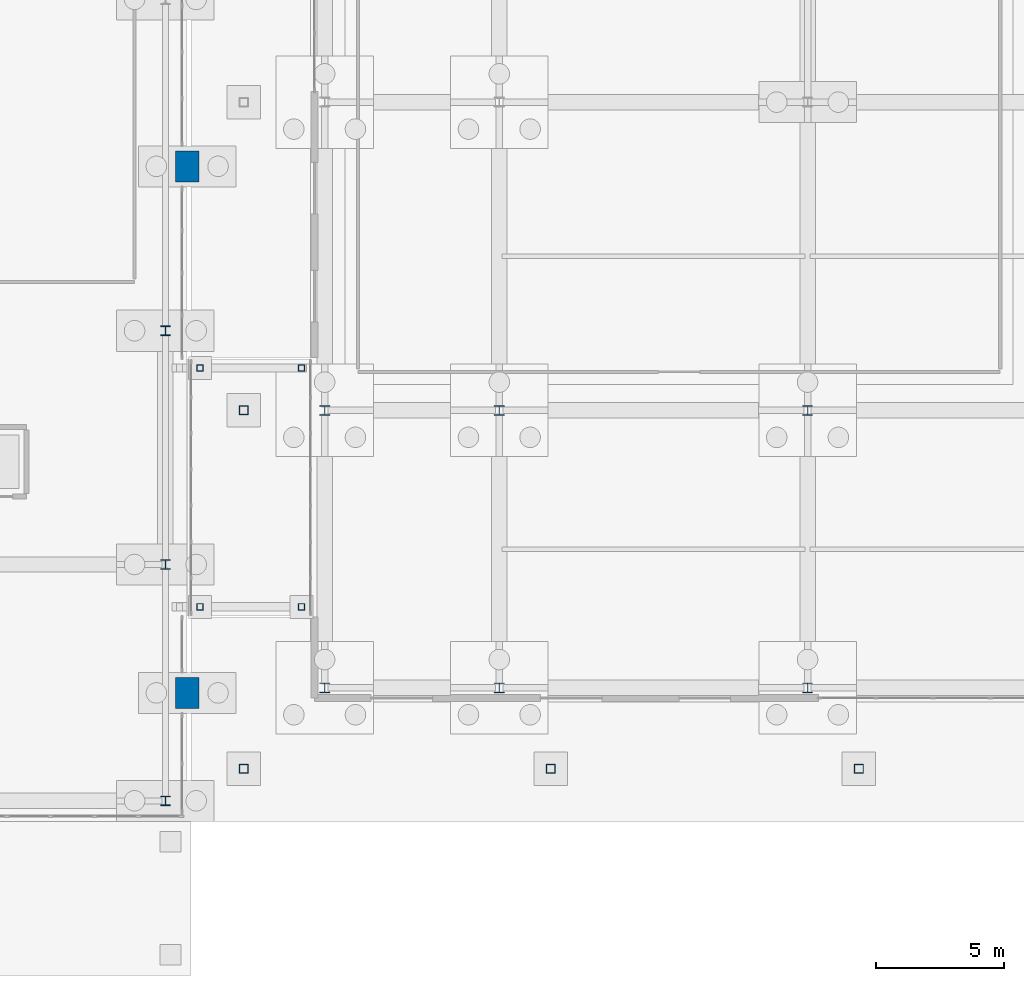
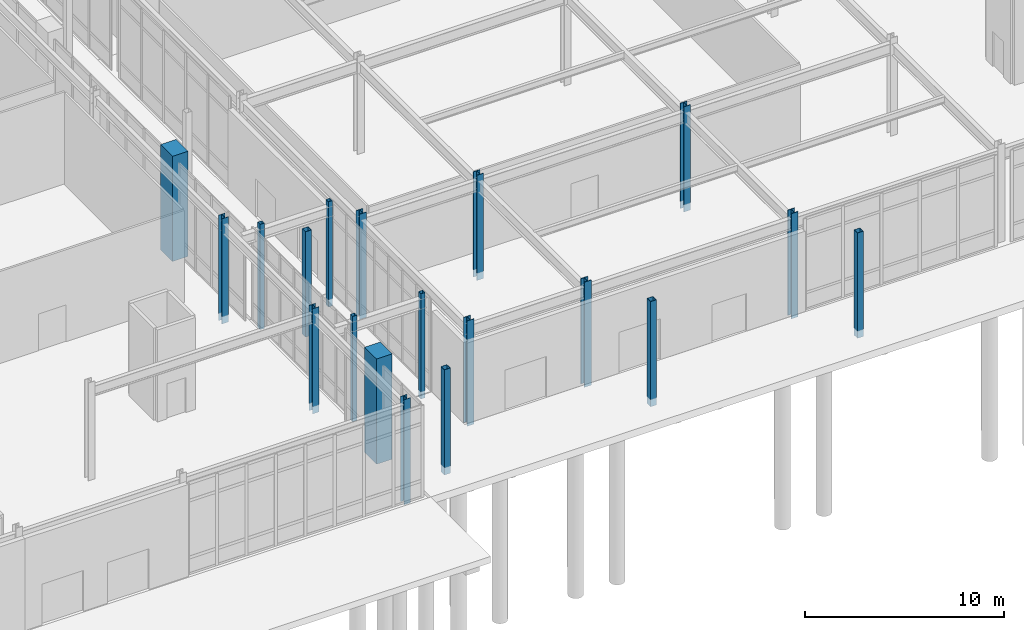
# One storey, part 13 of 143: 19 columns.
"""IFC4 building model written with IfcOpenShell, lengths in metres."""

from ifc_helpers import new_model, si_unit, derived_unit, direction, frame, origin, origin_2d, place, context, subcontext, project, spatial, rectangle, hollow_rectangle, i_section, extrude, material, material_profile, profile_set, type_object, element, save


model = new_model("IFC4")

# Units and contexts
model_context = context("Model", 3, precision=1e-05, world=origin(), true_north=direction((0.0, 1.0)))
body_context = subcontext(model_context, "Body", "Model", "MODEL_VIEW")
ifc_project = project(units=[si_unit("LENGTHUNIT", "METRE"), si_unit("AREAUNIT", "SQUARE_METRE"), si_unit("VOLUMEUNIT", "CUBIC_METRE"), si_unit("PLANEANGLEUNIT", "RADIAN"), si_unit("MASSUNIT", "GRAM", prefix="KILO"), derived_unit("THERMALTRANSMITTANCEUNIT", [(si_unit("MASSUNIT", "GRAM", prefix="KILO"), 1), (si_unit("TIMEUNIT", "SECOND"), -3), (si_unit("THERMODYNAMICTEMPERATUREUNIT", "KELVIN"), -1)])], contexts=[model_context])

# Site, building, storey
site_placement = place(None, origin())
site = spatial("IfcSite", under=ifc_project, at=site_placement, CompositionType="ELEMENT")
building_placement = place(site_placement, origin())
building = spatial("IfcBuilding", under=site, at=building_placement, Name="Valcora Ridge Arena", CompositionType="ELEMENT")
storey_placement = place(building_placement, origin())
storey = spatial("IfcBuildingStorey", under=building, at=storey_placement, Name="L00", CompositionType="ELEMENT", Elevation=0.0)

# Columns
ifc_material_1 = material(Name="Steel ASTM A500 Grade C", Category="steel")
ifc_material_profile_1 = material_profile(ifc_material_1, hollow_rectangle(XDim=0.25, YDim=0.25, WallThickness=0.012451171875, at=origin_2d()), Name="HSS250X250X12")
ifc_profile_set_1 = profile_set([ifc_material_profile_1], Name="Steel ASTM A500 Grade C")
column_type_1 = type_object("IfcColumnType", Name="TY-COLUMN-C-BRG250", PredefinedType="COLUMN", material=ifc_profile_set_1)
for number, where, z_axis, x_axis, name in (
    (1, (132.35009765625, 8.35009765625, -0.449951171875), (0.0, 0.0, 1.0), (1.0, 0.0, 0.0), "C-BRG250 COL-BG-C-BRG250-0009"),
    (2, (136.300048828125, 8.35009765625, -0.449951171875), (0.0, 0.0, 1.0), (1.0, 0.0, 0.0), "C-BRG250 COL-BG-C-BRG250-0011"),
    (3, (132.35009765625, 17.64990234375, -0.449951171875), (0.0, 0.0, 1.0), (1.0, 0.0, 0.0), "C-BRG250 COL-BG-C-BRG250-0013"),
    (4, (136.300048828125, 17.64990234375, -0.449951171875), (0.0, 0.0, 1.0), (1.0, 0.0, 0.0), "C-BRG250 COL-BG-C-BRG250-0015"),
):
    element("IfcColumn", number, at=place(storey_placement, frame(where, z_axis=z_axis, x_axis=x_axis)), inside=storey, type_object=column_type_1, Name=name, PredefinedType="COLUMN", context=body_context, shape_type="SweptSolid", body=[
        extrude(hollow_rectangle(XDim=0.25, YDim=0.25, WallThickness=0.012451171875, at=origin_2d()), origin(), (0.0, 0.0, 1.0), 6.449951171875),
    ])
ifc_material_2 = material(Name="Bush-hammered Andean travertine architectural concrete C45/55", Category="masonry")
ifc_material_profile_2 = material_profile(ifc_material_2, rectangle(XDim=0.89990234375, YDim=1.199951171875, at=origin_2d()), Name="RC 900x1200")
ifc_profile_set_2 = profile_set([ifc_material_profile_2], Name="Bush-hammered Andean travertine architectural concrete C45/55")
column_type_2 = type_object("IfcColumnType", Name="TY-COLUMN-C-BUTT-1200", PredefinedType="PILASTER", material=ifc_profile_set_2)
for number, where, z_axis, x_axis, name in (
    (5, (131.85009765625, 5.0, -0.449951171875), (0.0, 0.0, 1.0), (1.0, 0.0, 0.0), "C-BUTT-1200 COL-C-BUTT-1200-0431"),
    (6, (131.85009765625, 25.5, -0.449951171875), (0.0, 0.0, 1.0), (1.0, 0.0, 0.0), "C-BUTT-1200 COL-C-BUTT-1200-0433"),
):
    element("IfcColumn", number, at=place(storey_placement, frame(where, z_axis=z_axis, x_axis=x_axis)), inside=storey, type_object=column_type_2, Name=name, PredefinedType="PILASTER", context=body_context, shape_type="SweptSolid", body=[
        extrude(rectangle(XDim=0.89990234375, YDim=1.199951171875, at=origin_2d()), origin(), (0.0, 0.0, 1.0), 6.449951171875),
    ])
ifc_material_profile_3 = material_profile(ifc_material_1, hollow_rectangle(XDim=0.35009765625, YDim=0.35009765625, WallThickness=0.01611328125, at=origin_2d()), Name="HSS350X350X16")
ifc_profile_set_3 = profile_set([ifc_material_profile_3], Name="Steel ASTM A500 Grade C")
column_type_3 = type_object("IfcColumnType", Name="TY-COLUMN-C-COL350", PredefinedType="COLUMN", material=ifc_profile_set_3)
for number, where, z_axis, x_axis, name in (
    (7, (134.050048828125, 2.050048828125, -0.449951171875), (0.0, 0.0, 1.0), (1.0, 0.0, 0.0), "C-COL350 COL-C-COL350-0001"),
    (8, (134.050048828125, 16.0, -0.449951171875), (0.0, 0.0, 1.0), (1.0, 0.0, 0.0), "C-COL350 COL-C-COL350-0004"),
    (9, (146.0, 2.050048828125, -0.449951171875), (0.0, 0.0, 1.0), (1.0, 0.0, 0.0), "C-COL350 COL-C-COL350-0043"),
    (10, (158.0, 2.050048828125, -0.449951171875), (0.0, 0.0, 1.0), (1.0, 0.0, 0.0), "C-COL350 COL-C-COL350-0046"),
):
    element("IfcColumn", number, at=place(storey_placement, frame(where, z_axis=z_axis, x_axis=x_axis)), inside=storey, type_object=column_type_3, Name=name, PredefinedType="COLUMN", context=body_context, shape_type="SweptSolid", body=[
        extrude(hollow_rectangle(XDim=0.35009765625, YDim=0.35009765625, WallThickness=0.01611328125, at=origin_2d()), origin(), (0.0, 0.0, 1.0), 6.449951171875),
    ])
ifc_material_3 = material(Name="Steel ASTM A572 Grade 50", Category="steel")
ifc_material_profile_4 = material_profile(ifc_material_3, i_section(OverallWidth=0.39892578125, OverallDepth=0.385986328125, WebThickness=0.02099609375, FlangeThickness=0.033203125, FilletRadius=0.01806640625, at=origin_2d()), Name="W14X176")
ifc_profile_set_4 = profile_set([ifc_material_profile_4], Name="Steel ASTM A572 Grade 50")
column_type_4 = type_object("IfcColumnType", Name="TY-COLUMN-C-STL14A", PredefinedType="COLUMN", material=ifc_profile_set_4)
for number, where, z_axis, x_axis, name in (
    (11, (137.199951171875, 5.199951171875, -0.449951171875), (0.0, 0.0, 1.0), (1.0, 0.0, 0.0), "C-STL14A COL-C-STL14A-0001"),
    (12, (137.199951171875, 16.0, -0.449951171875), (0.0, 0.0, 1.0), (1.0, 0.0, 0.0), "C-STL14A COL-C-STL14A-0002"),
    (13, (144.0, 5.199951171875, -0.449951171875), (0.0, 0.0, 1.0), (1.0, 0.0, 0.0), "C-STL14A COL-C-STL14A-0008"),
    (14, (144.0, 16.0, -0.449951171875), (0.0, 0.0, 1.0), (1.0, 0.0, 0.0), "C-STL14A COL-C-STL14A-0009"),
    (15, (156.0, 5.199951171875, -0.449951171875), (0.0, 0.0, 1.0), (1.0, 0.0, 0.0), "C-STL14A COL-C-STL14A-0015"),
    (16, (156.0, 16.0, -0.449951171875), (0.0, 0.0, 1.0), (1.0, 0.0, 0.0), "C-STL14A COL-C-STL14A-0016"),
):
    element("IfcColumn", number, at=place(storey_placement, frame(where, z_axis=z_axis, x_axis=x_axis)), inside=storey, type_object=column_type_4, Name=name, PredefinedType="COLUMN", context=body_context, shape_type="SweptSolid", body=[
        extrude(i_section(OverallWidth=0.39892578125, OverallDepth=0.385986328125, WebThickness=0.02099609375, FlangeThickness=0.033203125, FilletRadius=0.01806640625, at=origin_2d()), origin(), (0.0, 0.0, 1.0), 6.449951171875),
    ])
ifc_material_profile_5 = material_profile(ifc_material_3, i_section(OverallWidth=0.3740234375, OverallDepth=0.373046875, WebThickness=0.016357421875, FlangeThickness=0.026123046875, FilletRadius=0.01806640625, at=origin_2d()), Name="W14X132")
ifc_profile_set_5 = profile_set([ifc_material_profile_5], Name="Steel ASTM A572 Grade 50")
column_type_5 = type_object("IfcColumnType", Name="TY-COLUMN-C-STL14C", PredefinedType="COLUMN", material=ifc_profile_set_5)
for number, where, z_axis, x_axis, name in (
    (17, (131.0, 0.800048828125, -0.449951171875), (0.0, 0.0, 1.0), (1.0, 0.0, 0.0), "C-STL14C COL-C-STL14C-0004"),
    (18, (131.0, 10.0, -0.449951171875), (0.0, 0.0, 1.0), (1.0, 0.0, 0.0), "C-STL14C COL-C-STL14C-0008"),
    (19, (131.0, 19.10009765625, -0.449951171875), (0.0, 0.0, 1.0), (1.0, 0.0, 0.0), "C-STL14C COL-C-STL14C-0012"),
):
    element("IfcColumn", number, at=place(storey_placement, frame(where, z_axis=z_axis, x_axis=x_axis)), inside=storey, type_object=column_type_5, Name=name, PredefinedType="COLUMN", context=body_context, shape_type="SweptSolid", body=[
        extrude(i_section(OverallWidth=0.3740234375, OverallDepth=0.373046875, WebThickness=0.016357421875, FlangeThickness=0.026123046875, FilletRadius=0.01806640625, at=origin_2d()), origin(), (0.0, 0.0, 1.0), 6.449951171875),
    ])

save(model, "model.ifc")
